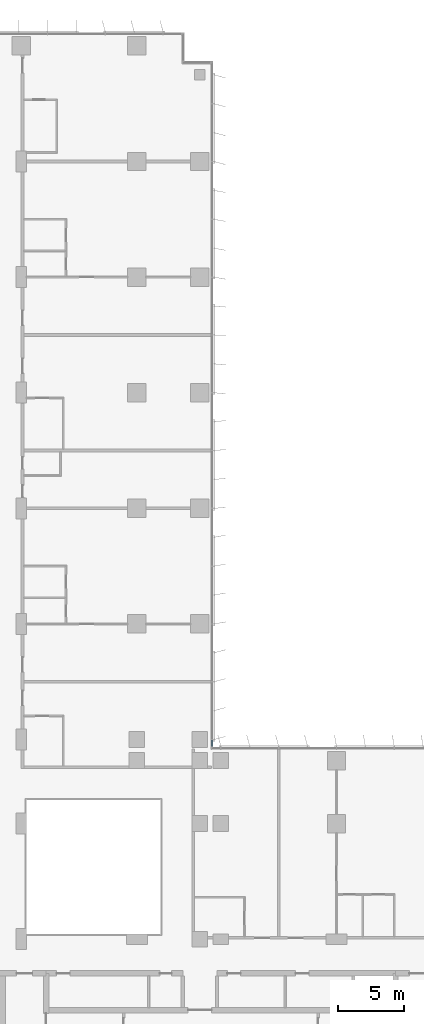
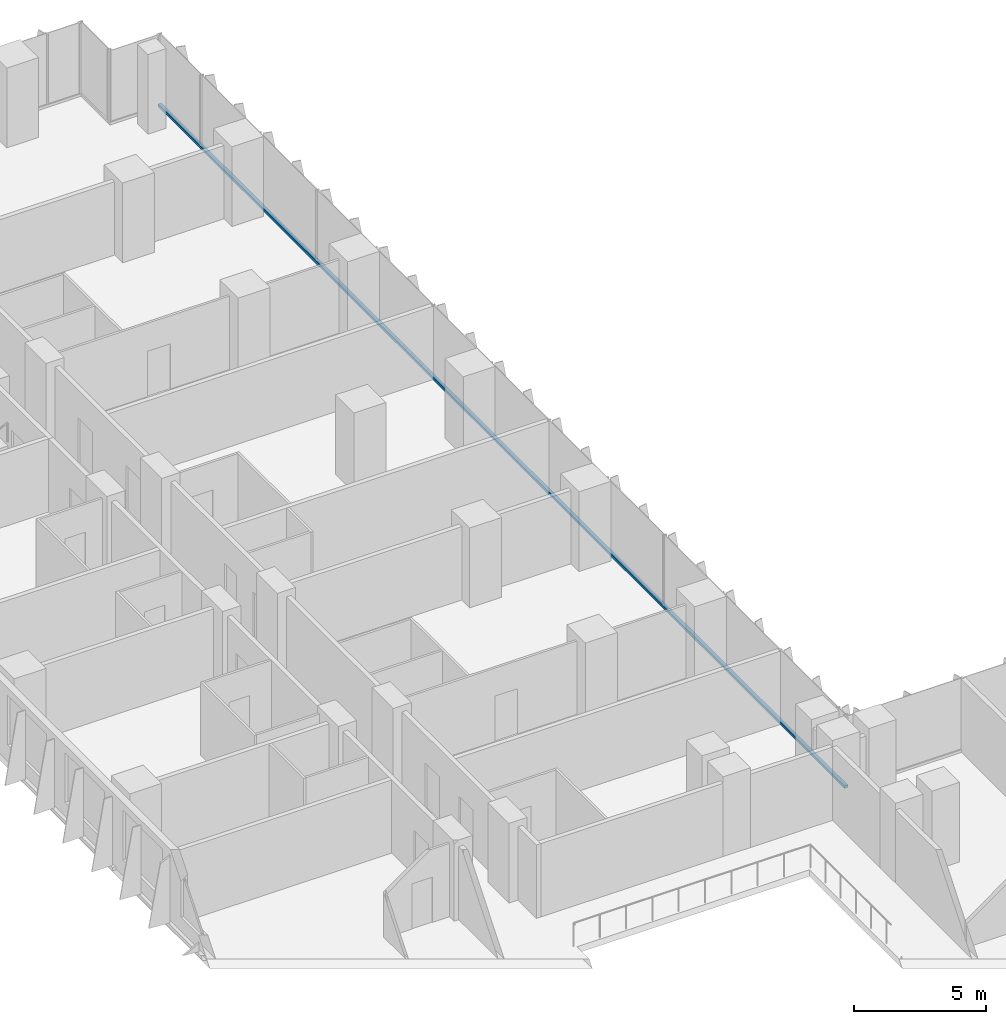
# One storey, part 6 of 24: 1 member, 1 element without a shape of its own.
"""IFC4 building model written with IfcOpenShell, lengths in metres."""

from ifc_helpers import new_model, si_unit, direction, frame, origin, origin_2d, place, context, subcontext, project, spatial, rectangle, extrude, material, material_profile, profile_set, type_object, element, aggregate, save


model = new_model("IFC4")

# Units and contexts
model_context = context("Model", 3, precision=1e-05, world=origin(), true_north=direction((0.0, 1.0)))
body_context = subcontext(model_context, "Body", "Model", "MODEL_VIEW")
ifc_project = project(units=[si_unit("LENGTHUNIT", "METRE"), si_unit("AREAUNIT", "SQUARE_METRE"), si_unit("VOLUMEUNIT", "CUBIC_METRE"), si_unit("PLANEANGLEUNIT", "RADIAN"), si_unit("MASSUNIT", "GRAM", prefix="KILO")], contexts=[model_context])

# Site, building, storey
site_placement = place(None, origin())
site = spatial("IfcSite", under=ifc_project, at=site_placement, CompositionType="ELEMENT")
building_placement = place(site_placement, origin())
building = spatial("IfcBuilding", under=site, at=building_placement, Name="Kemantara Hotel Tower", CompositionType="ELEMENT")
storey_placement = place(building_placement, frame((0.0, 0.0, 41.39990234375)))
storey = spatial("IfcBuildingStorey", under=building, at=storey_placement, Name="L08", CompositionType="ELEMENT", Elevation=41.39990234375)

# Curtain wall, member
ifc_material_1 = material(Name="Low-E tinted double insulated glass 36 mm", Category="glass")
curtain_wall_type = type_object("IfcCurtainWallType", Name="TOWER CURTAIN WALL, FRONT FACES", PredefinedType="USERDEFINED", material=ifc_material_1)
curtain_wall_placement = place(storey_placement, origin())
curtain_wall = element("IfcCurtainWall", 1, at=curtain_wall_placement, inside=storey, type_object=curtain_wall_type, Name="CW4 L08 T1-R08-1", ObjectType="TOWER CURTAIN WALL, FRONT FACES", PredefinedType="USERDEFINED")
ifc_material_2 = material(Name="Aluminium 6063-T6 bronze anodised", Category="aluminium")
ifc_material_profile = material_profile(ifc_material_2, rectangle(XDim=0.14990234375, YDim=0.1201171875, at=origin_2d()), Name="TOWER CURTAIN WALL, FRONT FACES TRANSOM")
ifc_profile_set = profile_set([ifc_material_profile], Name="Aluminium 6063-T6 bronze anodised")
member_type = type_object("IfcMemberType", Name="TOWER CURTAIN WALL, FRONT FACES TRANSOM", PredefinedType="USERDEFINED", material=ifc_profile_set)
member_placement = place(storey_placement, frame((26.72509765625, 26.800048828125, 0.06005859375), z_axis=(0.0, 1.0, 0.0), x_axis=(-1.0, 0.0, 0.0)))
member = element("IfcMember", 2, at=member_placement, type_object=member_type, Name="CW4 sill transom T1-R08-1", ObjectType="TRANSOM", PredefinedType="USERDEFINED", context=body_context, shape_type="SweptSolid", body=[
    extrude(rectangle(XDim=0.14990234375, YDim=0.1201171875, at=origin_2d()), origin(), (0.0, 0.0, 1.0), 52.199951171875),
])
aggregate(curtain_wall, [member])

save(model, "model.ifc")
